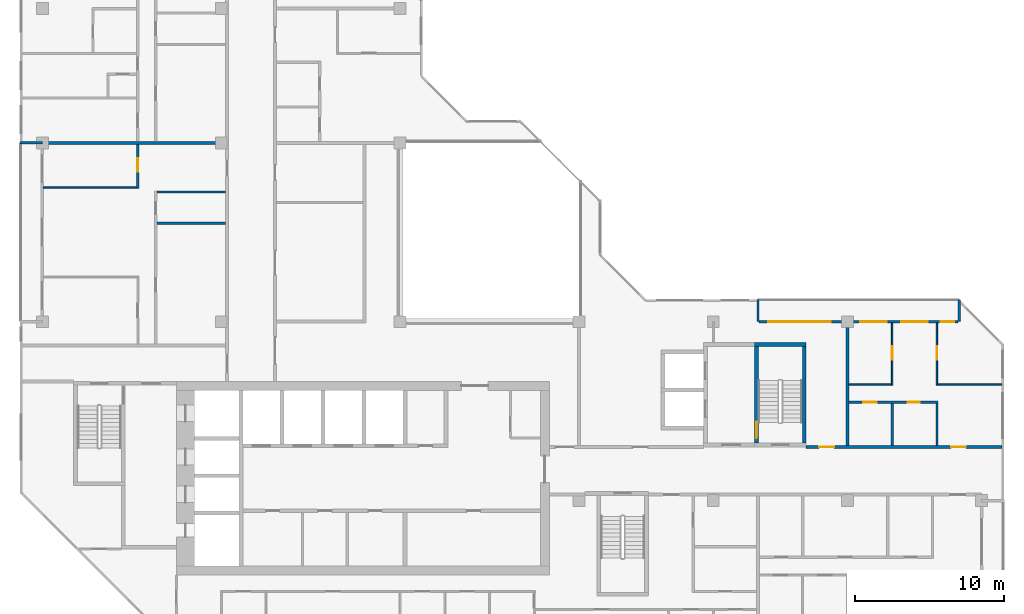
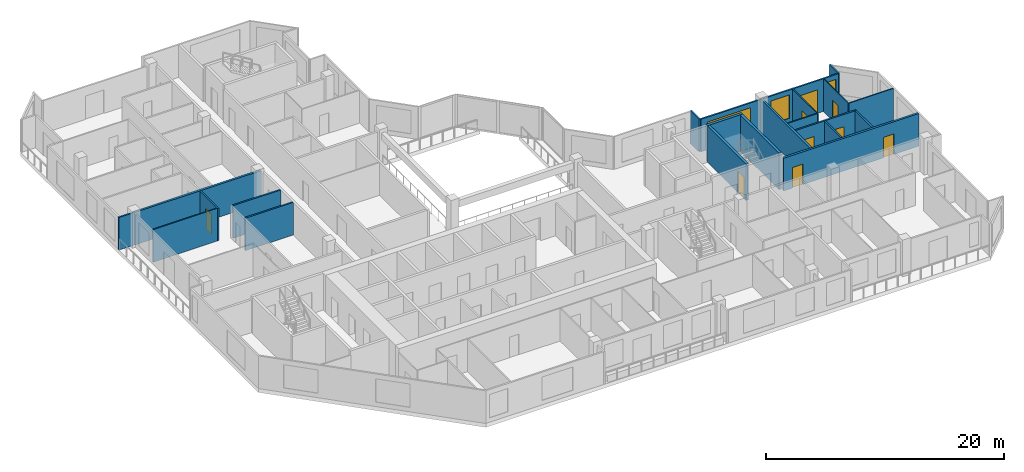
# One storey, part 8 of 13: 21 walls, 9 doors, 3 windows, 12 openings.
"""IFC4 building model written with IfcOpenShell, lengths in metres."""

from ifc_helpers import new_model, si_unit, direction, frame, frame_2d, origin, place, context, subcontext, project, spatial, rectangle, extrude, material, layer, layer_set, type_object, element, fill, save


model = new_model("IFC4")

# Units and contexts
model_context = context("Model", 3, precision=1e-05, world=origin(), true_north=direction((0.0, 1.0)))
body_context = subcontext(model_context, "Body", "Model", "MODEL_VIEW")
ifc_project = project(units=[si_unit("LENGTHUNIT", "METRE"), si_unit("AREAUNIT", "SQUARE_METRE"), si_unit("VOLUMEUNIT", "CUBIC_METRE"), si_unit("PLANEANGLEUNIT", "RADIAN"), si_unit("MASSUNIT", "GRAM", prefix="KILO")], contexts=[model_context])

# Site, building, storey
site_placement = place(None, origin())
site = spatial("IfcSite", under=ifc_project, at=site_placement, CompositionType="ELEMENT")
building_placement = place(site_placement, origin())
building = spatial("IfcBuilding", under=site, at=building_placement, Name="Chenar Terraces", CompositionType="ELEMENT")
storey_placement = place(building_placement, frame((0.0, 0.0, 292.14990234375)))
storey = spatial("IfcBuildingStorey", under=building, at=storey_placement, Name="L68", CompositionType="ELEMENT", Elevation=292.14990234375)

# Wall
ifc_material_1 = material(Name="Concrete C50/60", Category="concrete")
ifc_layer_1 = layer(ifc_material_1, 0.25)
ifc_layer_set_1 = layer_set([ifc_layer_1], Name="Concrete C50/60")
wall_type_1 = type_object("IfcWallType", Name="Core wall 250 Concrete C50/60", PredefinedType="SHEAR", material=ifc_layer_set_1)
wall_1_placement = place(storey_placement, frame((47.77490234375, 22.47509765625, 0.0), z_axis=(0.0, 0.0, 1.0), x_axis=(1.0, 0.0, 0.0)))
element("IfcWall", 1, at=wall_1_placement, inside=storey, type_object=wall_type_1, Name="Core wall ST3_N L68", PredefinedType="SHEAR", context=body_context, shape_type="SweptSolid", body=[
    extrude(rectangle(XDim=3.4501953125, YDim=0.25, at=frame_2d((1.72509765625, 0.0))), origin(), (0.0, 0.0, 1.0), 3.75),
])

# Wall, opening, door
wall_2_placement = place(storey_placement, frame((47.89990234375, 15.85009765625, 0.0), z_axis=(0.0, 0.0, 1.0), x_axis=(0.0, 1.0, 0.0)))
wall_2 = element("IfcWall", 2, at=wall_2_placement, inside=storey, type_object=wall_type_1, Name="Core wall ST3_W L68", PredefinedType="SHEAR", context=body_context, shape_type="SweptSolid", body=[
    extrude(rectangle(XDim=6.5, YDim=0.25, at=frame_2d((3.25, 0.0))), origin(), (0.0, 0.0, 1.0), 3.75),
])
opening_1_placement = place(wall_2_placement, frame((0.35009765625, 0.0, 0.0)))
opening_1 = element("IfcOpeningElement", 3, at=opening_1_placement, cuts=wall_2, Name="Opening DL68-C11", PredefinedType="OPENING", context=body_context, shape_type="SweptSolid", body=[
    extrude(rectangle(XDim=1.10009765625, YDim=2.199951171875, at=frame_2d((0.550048828125, 1.10009765625))), frame((0.0, 0.135009765625, 0.0), z_axis=(0.0, -1.0, 0.0), x_axis=(1.0, 0.0, 0.0)), (0.0, 0.0, 1.0), 0.27001953125),
])
ifc_material_2 = material(Name="Steel-framed fire-resisting door leaf", Category="steel")
door_type_1 = type_object("IfcDoorType", Name="Stair fire door FD60 1100 x 2200", OperationType="SINGLE_SWING_LEFT", PredefinedType="DOOR", material=ifc_material_2)
door_1_placement = place(opening_1_placement, frame((1.10009765625, 0.0, 0.0), z_axis=(0.0, 0.0, 1.0), x_axis=(-1.0, 0.0, 0.0)))
door_1 = element("IfcDoor", 4, at=door_1_placement, inside=storey, type_object=door_type_1, Name="Stair door DL68-C11", OperationType="SINGLE_SWING_RIGHT", OverallHeight=2.199951171875, OverallWidth=1.10009765625, PredefinedType="DOOR", context=body_context, shape_type="SweptSolid", body=[
    extrude(rectangle(XDim=1.10009765625, YDim=2.199951171875, at=frame_2d((0.550048828125, 1.10009765625))), frame((0.0, 0.02490234375, 0.0), z_axis=(0.0, -1.0, 0.0), x_axis=(1.0, 0.0, 0.0)), (0.0, 0.0, 1.0), 0.050048828125),
])
fill(opening_1, door_1)

# Wall
wall_3_placement = place(storey_placement, frame((51.10009765625, 15.85009765625, 0.0), z_axis=(0.0, 0.0, 1.0), x_axis=(0.0, 1.0, 0.0)))
element("IfcWall", 5, at=wall_3_placement, inside=storey, type_object=wall_type_1, Name="Core wall ST3_E L68", PredefinedType="SHEAR", context=body_context, shape_type="SweptSolid", body=[
    extrude(rectangle(XDim=6.5, YDim=0.25, at=frame_2d((3.25, 0.0))), origin(), (0.0, 0.0, 1.0), 3.75),
])

# Wall, openings, doors
ifc_material_3 = material(Name="Gypsum board on steel studs with fire boards", Category="steel")
ifc_layer_2 = layer(ifc_material_3, 0.199951171875)
ifc_layer_set_2 = layer_set([ifc_layer_2], Name="Gypsum board on steel studs with fire boards")
wall_type_2 = type_object("IfcWallType", Name="Corridor wall 200", PredefinedType="PARTITIONING", material=ifc_layer_set_2)
wall_4_placement = place(storey_placement, frame((51.22509765625, 15.60009765625, 0.0), z_axis=(0.0, 0.0, 1.0), x_axis=(1.0, 0.0, 0.0)))
wall_4 = element("IfcWall", 6, at=wall_4_placement, inside=storey, type_object=wall_type_2, Name="Partition L68-063", PredefinedType="PARTITIONING", context=body_context, shape_type="SweptSolid", body=[
    extrude(rectangle(XDim=13.125, YDim=0.199951171875, at=frame_2d((6.5625, 0.0))), origin(), (0.0, 0.0, 1.0), 3.35009765625),
])
opening_2_placement = place(wall_4_placement, frame((9.72509765625, 0.0, 0.0)))
opening_2 = element("IfcOpeningElement", 7, at=opening_2_placement, cuts=wall_4, Name="Opening DL68-8", PredefinedType="OPENING", context=body_context, shape_type="SweptSolid", body=[
    extrude(rectangle(XDim=1.0, YDim=2.10009765625, at=frame_2d((0.5, 1.050048828125))), frame((0.0, 0.10986328125, 0.0), z_axis=(0.0, -1.0, 0.0), x_axis=(1.0, 0.0, 0.0)), (0.0, 0.0, 1.0), 0.219970703125),
])
opening_3_placement = place(wall_4_placement, frame((0.875, 0.0, 0.0)))
opening_3 = element("IfcOpeningElement", 8, at=opening_3_placement, cuts=wall_4, Name="Opening DL68-33", PredefinedType="OPENING", context=body_context, shape_type="SweptSolid", body=[
    extrude(rectangle(XDim=1.0, YDim=2.10009765625, at=frame_2d((0.5, 1.050048828125))), frame((0.0, 0.10986328125, 0.0), z_axis=(0.0, -1.0, 0.0), x_axis=(1.0, 0.0, 0.0)), (0.0, 0.0, 1.0), 0.219970703125),
])
ifc_material_4 = material(Name="Steel-framed fire-resisting door leaf", Category="steel")
door_type_2 = type_object("IfcDoorType", Name="Fire door FD30S 1000 x 2100", OperationType="SINGLE_SWING_LEFT", PredefinedType="DOOR", material=ifc_material_4)
door_2_placement = place(opening_2_placement, origin())
door_2 = element("IfcDoor", 9, at=door_2_placement, inside=storey, type_object=door_type_2, Name="Door DL68-8", OperationType="SINGLE_SWING_LEFT", OverallHeight=2.10009765625, OverallWidth=1.0, PredefinedType="DOOR", context=body_context, shape_type="SweptSolid", body=[
    extrude(rectangle(XDim=1.0, YDim=2.10009765625, at=frame_2d((0.5, 1.050048828125))), frame((0.0, 0.02490234375, 0.0), z_axis=(0.0, -1.0, 0.0), x_axis=(1.0, 0.0, 0.0)), (0.0, 0.0, 1.0), 0.050048828125),
])
fill(opening_2, door_2)
door_3_placement = place(opening_3_placement, origin())
door_3 = element("IfcDoor", 10, at=door_3_placement, inside=storey, type_object=door_type_2, Name="Door DL68-33", OperationType="SINGLE_SWING_RIGHT", OverallHeight=2.10009765625, OverallWidth=1.0, PredefinedType="DOOR", context=body_context, shape_type="SweptSolid", body=[
    extrude(rectangle(XDim=1.0, YDim=2.10009765625, at=frame_2d((0.5, 1.050048828125))), frame((0.0, 0.02490234375, 0.0), z_axis=(0.0, -1.0, 0.0), x_axis=(1.0, 0.0, 0.0)), (0.0, 0.0, 1.0), 0.050048828125),
])
fill(opening_3, door_3)

# Wall, openings, windows, door
ifc_material_5 = material(Name="Aluminium framed glazing", Category="aluminium")
ifc_layer_3 = layer(ifc_material_5, 0.14990234375)
ifc_layer_set_3 = layer_set([ifc_layer_3], Name="Aluminium framed glazing")
wall_type_3 = type_object("IfcWallType", Name="Glazed loggia back wall 150", PredefinedType="SOLIDWALL", material=ifc_layer_set_3)
wall_5_placement = place(storey_placement, frame((61.425048828125, 24.0, 0.0), z_axis=(0.0, 0.0, 1.0), x_axis=(-1.0, 0.0, 0.0)))
wall_5 = element("IfcWall", 11, at=wall_5_placement, inside=storey, type_object=wall_type_3, Name="Glazed loggia back wall", PredefinedType="SOLIDWALL", context=body_context, shape_type="SweptSolid", body=[
    extrude(rectangle(XDim=13.35009765625, YDim=0.14990234375, at=frame_2d((6.675048828125, 0.0))), origin(), (0.0, 0.0, 1.0), 3.35009765625),
])
opening_4_placement = place(wall_5_placement, frame((0.262451171875, 0.0, 0.449951171875)))
opening_4 = element("IfcOpeningElement", 12, at=opening_4_placement, cuts=wall_5, Name="Opening W90x240", PredefinedType="OPENING", context=body_context, shape_type="SweptSolid", body=[
    extrude(rectangle(XDim=0.89990234375, YDim=2.39990234375, at=frame_2d((0.449951171875, 1.199951171875))), frame((0.0, 0.0849609375, 0.0), z_axis=(0.0, -1.0, 0.0), x_axis=(1.0, 0.0, 0.0)), (0.0, 0.0, 1.0), 0.169921875),
])
opening_5_placement = place(wall_5_placement, frame((2.02490234375, 0.0, 0.0)))
opening_5 = element("IfcOpeningElement", 13, at=opening_5_placement, cuts=wall_5, Name="Opening DL68-G1", PredefinedType="OPENING", context=body_context, shape_type="SweptSolid", body=[
    extrude(rectangle(XDim=1.800048828125, YDim=2.39990234375, at=frame_2d((0.89990234375, 1.199951171875))), frame((0.0, 0.0849609375, 0.0), z_axis=(0.0, -1.0, 0.0), x_axis=(1.0, 0.0, 0.0)), (0.0, 0.0, 1.0), 0.169921875),
])
opening_6_placement = place(wall_5_placement, frame((4.77490234375, 0.0, 0.449951171875)))
opening_6 = element("IfcOpeningElement", 14, at=opening_6_placement, cuts=wall_5, Name="Opening W180x240", PredefinedType="OPENING", context=body_context, shape_type="SweptSolid", body=[
    extrude(rectangle(XDim=1.800048828125, YDim=2.39990234375, at=frame_2d((0.89990234375, 1.199951171875))), frame((0.0, 0.0849609375, 0.0), z_axis=(0.0, -1.0, 0.0), x_axis=(1.0, 0.0, 0.0)), (0.0, 0.0, 1.0), 0.169921875),
])
opening_7_placement = place(wall_5_placement, frame((8.53759765625, 0.0, 0.449951171875)))
opening_7 = element("IfcOpeningElement", 15, at=opening_7_placement, cuts=wall_5, Name="Opening W420x240", PredefinedType="OPENING", context=body_context, shape_type="SweptSolid", body=[
    extrude(rectangle(XDim=4.199951171875, YDim=2.39990234375, at=frame_2d((2.10009765625, 1.199951171875))), frame((0.0, 0.0849609375, 0.0), z_axis=(0.0, -1.0, 0.0), x_axis=(1.0, 0.0, 0.0)), (0.0, 0.0, 1.0), 0.169921875),
])
ifc_material_6 = material(Name="Low emissivity double glazing, aluminium frame", Category="aluminium")
window_type_1 = type_object("IfcWindowType", Name="Fixed light 1800 x 2400", PartitioningType="SINGLE_PANEL", PredefinedType="WINDOW", material=ifc_material_6)
window_1_placement = place(opening_6_placement, origin())
window_1 = element("IfcWindow", 16, at=window_1_placement, inside=storey, type_object=window_type_1, Name="Window", OverallHeight=2.39990234375, OverallWidth=1.800048828125, PartitioningType="SINGLE_PANEL", PredefinedType="WINDOW", context=body_context, shape_type="SweptSolid", body=[
    extrude(rectangle(XDim=1.800048828125, YDim=2.39990234375, at=frame_2d((0.89990234375, 1.199951171875))), frame((0.0, 0.030029296875, 0.0), z_axis=(0.0, -1.0, 0.0), x_axis=(1.0, 0.0, 0.0)), (0.0, 0.0, 1.0), 0.06005859375),
])
fill(opening_6, window_1)
ifc_material_7 = material(Name="Low emissivity double glazing, aluminium frame", Category="aluminium")
window_type_2 = type_object("IfcWindowType", Name="Fixed light 4200 x 2400", PartitioningType="SINGLE_PANEL", PredefinedType="WINDOW", material=ifc_material_7)
window_2_placement = place(opening_7_placement, origin())
window_2 = element("IfcWindow", 17, at=window_2_placement, inside=storey, type_object=window_type_2, Name="Window", OverallHeight=2.39990234375, OverallWidth=4.199951171875, PartitioningType="SINGLE_PANEL", PredefinedType="WINDOW", context=body_context, shape_type="SweptSolid", body=[
    extrude(rectangle(XDim=4.199951171875, YDim=2.39990234375, at=frame_2d((2.10009765625, 1.199951171875))), frame((0.0, 0.030029296875, 0.0), z_axis=(0.0, -1.0, 0.0), x_axis=(1.0, 0.0, 0.0)), (0.0, 0.0, 1.0), 0.06005859375),
])
fill(opening_7, window_2)
ifc_material_8 = material(Name="Low emissivity double glazing, aluminium frame", Category="aluminium")
window_type_3 = type_object("IfcWindowType", Name="Fixed light 900 x 2400", PartitioningType="SINGLE_PANEL", PredefinedType="WINDOW", material=ifc_material_8)
window_3_placement = place(opening_4_placement, origin())
window_3 = element("IfcWindow", 18, at=window_3_placement, inside=storey, type_object=window_type_3, Name="Window", OverallHeight=2.39990234375, OverallWidth=0.89990234375, PartitioningType="SINGLE_PANEL", PredefinedType="WINDOW", context=body_context, shape_type="SweptSolid", body=[
    extrude(rectangle(XDim=0.89990234375, YDim=2.39990234375, at=frame_2d((0.449951171875, 1.199951171875))), frame((0.0, 0.030029296875, 0.0), z_axis=(0.0, -1.0, 0.0), x_axis=(1.0, 0.0, 0.0)), (0.0, 0.0, 1.0), 0.06005859375),
])
fill(opening_4, window_3)
ifc_material_9 = material(Name="Low emissivity double glazing, aluminium frame", Category="aluminium")
door_type_3 = type_object("IfcDoorType", Name="Loggia glazed double door 1800 x 2400", OperationType="DOUBLE_DOOR_SINGLE_SWING", PredefinedType="DOOR", material=ifc_material_9)
door_4_placement = place(opening_5_placement, frame((1.800048828125, 0.0, 0.0), z_axis=(0.0, 0.0, 1.0), x_axis=(-1.0, 0.0, 0.0)))
door_4 = element("IfcDoor", 19, at=door_4_placement, inside=storey, type_object=door_type_3, Name="Loggia glazed door", OperationType="DOUBLE_DOOR_SINGLE_SWING", OverallHeight=2.39990234375, OverallWidth=1.800048828125, PredefinedType="DOOR", context=body_context, shape_type="SweptSolid", body=[
    extrude(rectangle(XDim=1.800048828125, YDim=2.39990234375, at=frame_2d((0.89990234375, 1.199951171875))), frame((0.0, 0.02490234375, 0.0), z_axis=(0.0, -1.0, 0.0), x_axis=(1.0, 0.0, 0.0)), (0.0, 0.0, 1.0), 0.050048828125),
])
fill(opening_5, door_4)

# Walls
ifc_material_10 = material(Name="Gypsum board on steel studs", Category="steel")
ifc_layer_4 = layer(ifc_material_10, 0.10009765625)
ifc_layer_set_4 = layer_set([ifc_layer_4], Name="Gypsum board on steel studs")
wall_type_4 = type_object("IfcWallType", Name="Gypsum partition 100", PredefinedType="PARTITIONING", material=ifc_layer_set_4)
wall_6_placement = place(storey_placement, frame((0.073974609375, 33.0, 0.0), z_axis=(0.0, 0.0, 1.0), x_axis=(1.0, 0.0, 0.0)))
element("IfcWall", 20, at=wall_6_placement, inside=storey, type_object=wall_type_4, Name="Partition L68-008", PredefinedType="PARTITIONING", context=body_context, shape_type="SweptSolid", body=[
    extrude(rectangle(XDim=6.2509765625, YDim=0.10009765625, at=frame_2d((3.12548828125, 0.0))), origin(), (0.0, 0.0, 1.0), 3.35009765625),
])
wall_7_placement = place(storey_placement, frame((54.10009765625, 19.800048828125, 0.0), z_axis=(0.0, 0.0, 1.0), x_axis=(1.0, 0.0, 0.0)))
element("IfcWall", 21, at=wall_7_placement, inside=storey, type_object=wall_type_4, Name="Partition L68-067", PredefinedType="PARTITIONING", context=body_context, shape_type="SweptSolid", body=[
    extrude(rectangle(XDim=2.849853515625, YDim=0.10009765625, at=frame_2d((1.4248046875, 0.0))), origin(), (0.0, 0.0, 1.0), 3.35009765625),
])

# Wall, opening, door
wall_8_placement = place(storey_placement, frame((57.0, 19.75, 0.0), z_axis=(0.0, 0.0, 1.0), x_axis=(0.0, 1.0, 0.0)))
wall_8 = element("IfcWall", 22, at=wall_8_placement, inside=storey, type_object=wall_type_4, Name="Partition L68-070", PredefinedType="PARTITIONING", context=body_context, shape_type="SweptSolid", body=[
    extrude(rectangle(XDim=4.176025390625, YDim=0.10009765625, at=frame_2d((2.087890625, 0.0))), origin(), (0.0, 0.0, 1.0), 3.35009765625),
])
opening_8_placement = place(wall_8_placement, frame((1.699951171875, 0.0, 0.0)))
opening_8 = element("IfcOpeningElement", 23, at=opening_8_placement, cuts=wall_8, Name="Opening DL68-5", PredefinedType="OPENING", context=body_context, shape_type="SweptSolid", body=[
    extrude(rectangle(XDim=0.89990234375, YDim=2.10009765625, at=frame_2d((0.449951171875, 1.050048828125))), frame((0.0, 0.06005859375, 0.0), z_axis=(0.0, -1.0, 0.0), x_axis=(1.0, 0.0, 0.0)), (0.0, 0.0, 1.0), 0.1201171875),
])
ifc_material_11 = material(Name="Veneered timber door leaf", Category="wood")
door_type_4 = type_object("IfcDoorType", Name="Door 900 x 2100", OperationType="SINGLE_SWING_LEFT", PredefinedType="DOOR", material=ifc_material_11)
door_5_placement = place(opening_8_placement, origin())
door_5 = element("IfcDoor", 24, at=door_5_placement, inside=storey, type_object=door_type_4, Name="Door DL68-5", OperationType="SINGLE_SWING_LEFT", OverallHeight=2.10009765625, OverallWidth=0.89990234375, PredefinedType="DOOR", context=body_context, shape_type="SweptSolid", body=[
    extrude(rectangle(XDim=0.89990234375, YDim=2.10009765625, at=frame_2d((0.449951171875, 1.050048828125))), frame((0.0, 0.02490234375, 0.0), z_axis=(0.0, -1.0, 0.0), x_axis=(1.0, 0.0, 0.0)), (0.0, 0.0, 1.0), 0.050048828125),
])
fill(opening_8, door_5)

wall_9_placement = place(storey_placement, frame((60.0, 19.75, 0.0), z_axis=(0.0, 0.0, 1.0), x_axis=(0.0, 1.0, 0.0)))
wall_9 = element("IfcWall", 25, at=wall_9_placement, inside=storey, type_object=wall_type_4, Name="Partition L68-074", PredefinedType="PARTITIONING", context=body_context, shape_type="SweptSolid", body=[
    extrude(rectangle(XDim=4.176025390625, YDim=0.10009765625, at=frame_2d((2.087890625, 0.0))), origin(), (0.0, 0.0, 1.0), 3.35009765625),
])
opening_9_placement = place(wall_9_placement, frame((1.699951171875, 0.0, 0.0)))
opening_9 = element("IfcOpeningElement", 26, at=opening_9_placement, cuts=wall_9, Name="Opening DL68-6", PredefinedType="OPENING", context=body_context, shape_type="SweptSolid", body=[
    extrude(rectangle(XDim=0.89990234375, YDim=2.10009765625, at=frame_2d((0.449951171875, 1.050048828125))), frame((0.0, 0.06005859375, 0.0), z_axis=(0.0, -1.0, 0.0), x_axis=(1.0, 0.0, 0.0)), (0.0, 0.0, 1.0), 0.1201171875),
])
door_6_placement = place(opening_9_placement, frame((0.89990234375, 0.0, 0.0), z_axis=(0.0, 0.0, 1.0), x_axis=(-1.0, 0.0, 0.0)))
door_6 = element("IfcDoor", 27, at=door_6_placement, inside=storey, type_object=door_type_4, Name="Door DL68-6", OperationType="SINGLE_SWING_RIGHT", OverallHeight=2.10009765625, OverallWidth=0.89990234375, PredefinedType="DOOR", context=body_context, shape_type="SweptSolid", body=[
    extrude(rectangle(XDim=0.89990234375, YDim=2.10009765625, at=frame_2d((0.449951171875, 1.050048828125))), frame((0.0, 0.02490234375, 0.0), z_axis=(0.0, -1.0, 0.0), x_axis=(1.0, 0.0, 0.0)), (0.0, 0.0, 1.0), 0.050048828125),
])
fill(opening_9, door_6)

# Walls
wall_10_placement = place(storey_placement, frame((60.050048828125, 19.800048828125, 0.0), z_axis=(0.0, 0.0, 1.0), x_axis=(1.0, 0.0, 0.0)))
element("IfcWall", 28, at=wall_10_placement, inside=storey, type_object=wall_type_4, Name="Partition L68-076", PredefinedType="PARTITIONING", context=body_context, shape_type="SweptSolid", body=[
    extrude(rectangle(XDim=4.300048828125, YDim=0.10009765625, at=frame_2d((2.14990234375, 0.0))), origin(), (0.0, 0.0, 1.0), 3.35009765625),
])
ifc_material_12 = material(Name="Terracotta cladding on insulated backing", Category="masonry")
ifc_layer_5 = layer(ifc_material_12, 0.14990234375)
ifc_layer_set_5 = layer_set([ifc_layer_5], Name="Terracotta cladding on insulated backing")
wall_type_5 = type_object("IfcWallType", Name="Loggia return wall 150", PredefinedType="SOLIDWALL", material=ifc_layer_set_5)
for number, where, z_axis, x_axis, name in (
    (29, (61.5, 25.5, 0.0), (0.0, 0.0, 1.0), (0.0, -1.0, 0.0), "Loggia return wall"),
    (30, (48.0, 25.5, 0.0), (0.0, 0.0, 1.0), (0.0, -1.0, 0.0), "Loggia return wall"),
    (31, (-1.5, 36.0, 0.0), (0.0, 0.0, 1.0), (1.0, 0.0, 0.0), "Loggia return wall"),
):
    element("IfcWall", number, at=place(storey_placement, frame(where, z_axis=z_axis, x_axis=x_axis)), inside=storey, type_object=wall_type_5, Name=name, PredefinedType="SOLIDWALL", context=body_context, shape_type="SweptSolid", body=[
        extrude(rectangle(XDim=1.5, YDim=0.14990234375, at=frame_2d((0.75, 0.0))), origin(), (0.0, 0.0, 1.0), 3.35009765625),
    ])
ifc_material_13 = material(Name="Twin gypsum board on steel studs with mineral wool", Category="steel")
ifc_layer_6 = layer(ifc_material_13, 0.199951171875)
ifc_layer_set_6 = layer_set([ifc_layer_6], Name="Twin gypsum board on steel studs with mineral wool")
wall_type_6 = type_object("IfcWallType", Name="Unit demising wall 200", PredefinedType="PARTITIONING", material=ifc_layer_set_6)
wall_11_placement = place(storey_placement, frame((0.0, 36.0, 0.0), z_axis=(0.0, 0.0, 1.0), x_axis=(1.0, 0.0, 0.0)))
element("IfcWall", 32, at=wall_11_placement, inside=storey, type_object=wall_type_6, Name="Partition L68-005", PredefinedType="PARTITIONING", context=body_context, shape_type="SweptSolid", body=[
    extrude(rectangle(XDim=12.300048828125, YDim=0.199951171875, at=frame_2d((6.14990234375, 0.0))), origin(), (0.0, 0.0, 1.0), 3.35009765625),
])
wall_12_placement = place(storey_placement, frame((54.0, 15.699951171875, 0.0), z_axis=(0.0, 0.0, 1.0), x_axis=(0.0, 1.0, 0.0)))
element("IfcWall", 33, at=wall_12_placement, inside=storey, type_object=wall_type_6, Name="Partition L68-065", PredefinedType="PARTITIONING", context=body_context, shape_type="SweptSolid", body=[
    extrude(rectangle(XDim=8.22607421875, YDim=0.199951171875, at=frame_2d((4.113037109375, 0.0))), origin(), (0.0, 0.0, 1.0), 3.35009765625),
])

# Wall, opening, door
ifc_material_14 = material(Name="Moisture-resistant gypsum board on steel studs", Category="steel")
ifc_layer_7 = layer(ifc_material_14, 0.14990234375)
ifc_layer_set_7 = layer_set([ifc_layer_7], Name="Moisture-resistant gypsum board on steel studs")
wall_type_7 = type_object("IfcWallType", Name="Wet-room partition 150", PredefinedType="PARTITIONING", material=ifc_layer_set_7)
wall_13_placement = place(storey_placement, frame((6.39990234375, 32.949951171875, 0.0), z_axis=(0.0, 0.0, 1.0), x_axis=(0.0, 1.0, 0.0)))
wall_13 = element("IfcWall", 34, at=wall_13_placement, inside=storey, type_object=wall_type_7, Name="Partition L68-015", PredefinedType="PARTITIONING", context=body_context, shape_type="SweptSolid", body=[
    extrude(rectangle(XDim=2.949951171875, YDim=0.14990234375, at=frame_2d((1.47509765625, 0.0))), origin(), (0.0, 0.0, 1.0), 3.35009765625),
])
opening_10_placement = place(wall_13_placement, frame((1.10009765625, 0.0, 0.0)))
opening_10 = element("IfcOpeningElement", 35, at=opening_10_placement, cuts=wall_13, Name="Opening DL68-50", PredefinedType="OPENING", context=body_context, shape_type="SweptSolid", body=[
    extrude(rectangle(XDim=0.89990234375, YDim=2.10009765625, at=frame_2d((0.449951171875, 1.050048828125))), frame((0.0, 0.0849609375, 0.0), z_axis=(0.0, -1.0, 0.0), x_axis=(1.0, 0.0, 0.0)), (0.0, 0.0, 1.0), 0.169921875),
])
door_7_placement = place(opening_10_placement, origin())
door_7 = element("IfcDoor", 36, at=door_7_placement, inside=storey, type_object=door_type_4, Name="Door DL68-50", OperationType="SINGLE_SWING_RIGHT", OverallHeight=2.10009765625, OverallWidth=0.89990234375, PredefinedType="DOOR", context=body_context, shape_type="SweptSolid", body=[
    extrude(rectangle(XDim=0.89990234375, YDim=2.10009765625, at=frame_2d((0.449951171875, 1.050048828125))), frame((0.0, 0.02490234375, 0.0), z_axis=(0.0, -1.0, 0.0), x_axis=(1.0, 0.0, 0.0)), (0.0, 0.0, 1.0), 0.050048828125),
])
fill(opening_10, door_7)

# Walls
for number, where, z_axis, x_axis, name in (
    (37, (7.675048828125, 30.60009765625, 0.0), (0.0, 0.0, 1.0), (1.0, 0.0, 0.0), "Partition L68-019"),
    (38, (7.675048828125, 32.699951171875, 0.0), (0.0, 0.0, 1.0), (1.0, 0.0, 0.0), "Partition L68-020"),
):
    element("IfcWall", number, at=place(storey_placement, frame(where, z_axis=z_axis, x_axis=x_axis)), inside=storey, type_object=wall_type_7, Name=name, PredefinedType="PARTITIONING", context=body_context, shape_type="SweptSolid", body=[
        extrude(rectangle(XDim=4.625, YDim=0.14990234375, at=frame_2d((2.3125, 0.0))), origin(), (0.0, 0.0, 1.0), 3.35009765625),
    ])

# Wall, openings, doors
wall_14_placement = place(storey_placement, frame((54.10009765625, 18.60009765625, 0.0), z_axis=(0.0, 0.0, 1.0), x_axis=(1.0, 0.0, 0.0)))
wall_14 = element("IfcWall", 39, at=wall_14_placement, inside=storey, type_object=wall_type_7, Name="Partition L68-066", PredefinedType="PARTITIONING", context=body_context, shape_type="SweptSolid", body=[
    extrude(rectangle(XDim=5.974853515625, YDim=0.14990234375, at=frame_2d((2.9873046875, 0.0))), origin(), (0.0, 0.0, 1.0), 3.35009765625),
])
opening_11_placement = place(wall_14_placement, frame((3.949951171875, 0.0, 0.0)))
opening_11 = element("IfcOpeningElement", 40, at=opening_11_placement, cuts=wall_14, Name="Opening DL68-4", PredefinedType="OPENING", context=body_context, shape_type="SweptSolid", body=[
    extrude(rectangle(XDim=0.800048828125, YDim=2.10009765625, at=frame_2d((0.39990234375, 1.050048828125))), frame((0.0, 0.0849609375, 0.0), z_axis=(0.0, -1.0, 0.0), x_axis=(1.0, 0.0, 0.0)), (0.0, 0.0, 1.0), 0.169921875),
])
opening_12_placement = place(wall_14_placement, frame((0.949951171875, 0.0, 0.0)))
opening_12 = element("IfcOpeningElement", 41, at=opening_12_placement, cuts=wall_14, Name="Opening DL68-7", PredefinedType="OPENING", context=body_context, shape_type="SweptSolid", body=[
    extrude(rectangle(XDim=0.89990234375, YDim=2.10009765625, at=frame_2d((0.449951171875, 1.050048828125))), frame((0.0, 0.0849609375, 0.0), z_axis=(0.0, -1.0, 0.0), x_axis=(1.0, 0.0, 0.0)), (0.0, 0.0, 1.0), 0.169921875),
])
ifc_material_15 = material(Name="Veneered timber door leaf", Category="wood")
door_type_5 = type_object("IfcDoorType", Name="Door 800 x 2100", OperationType="SINGLE_SWING_LEFT", PredefinedType="DOOR", material=ifc_material_15)
door_8_placement = place(opening_11_placement, frame((0.800048828125, 0.0, 0.0), z_axis=(0.0, 0.0, 1.0), x_axis=(-1.0, 0.0, 0.0)))
door_8 = element("IfcDoor", 42, at=door_8_placement, inside=storey, type_object=door_type_5, Name="Door DL68-4", OperationType="SINGLE_SWING_RIGHT", OverallHeight=2.10009765625, OverallWidth=0.800048828125, PredefinedType="DOOR", context=body_context, shape_type="SweptSolid", body=[
    extrude(rectangle(XDim=0.800048828125, YDim=2.10009765625, at=frame_2d((0.39990234375, 1.050048828125))), frame((0.0, 0.02490234375, 0.0), z_axis=(0.0, -1.0, 0.0), x_axis=(1.0, 0.0, 0.0)), (0.0, 0.0, 1.0), 0.050048828125),
])
fill(opening_11, door_8)
door_9_placement = place(opening_12_placement, frame((0.89990234375, 0.0, 0.0), z_axis=(0.0, 0.0, 1.0), x_axis=(-1.0, 0.0, 0.0)))
door_9 = element("IfcDoor", 43, at=door_9_placement, inside=storey, type_object=door_type_4, Name="Door DL68-7", OperationType="SINGLE_SWING_LEFT", OverallHeight=2.10009765625, OverallWidth=0.89990234375, PredefinedType="DOOR", context=body_context, shape_type="SweptSolid", body=[
    extrude(rectangle(XDim=0.89990234375, YDim=2.10009765625, at=frame_2d((0.449951171875, 1.050048828125))), frame((0.0, 0.02490234375, 0.0), z_axis=(0.0, -1.0, 0.0), x_axis=(1.0, 0.0, 0.0)), (0.0, 0.0, 1.0), 0.050048828125),
])
fill(opening_12, door_9)

# Walls
for number, where, z_axis, x_axis, name in (
    (44, (57.0, 15.699951171875, 0.0), (0.0, 0.0, 1.0), (0.0, 1.0, 0.0), "Partition L68-069"),
    (45, (60.0, 15.699951171875, 0.0), (0.0, 0.0, 1.0), (0.0, 1.0, 0.0), "Partition L68-073"),
):
    element("IfcWall", number, at=place(storey_placement, frame(where, z_axis=z_axis, x_axis=x_axis)), inside=storey, type_object=wall_type_7, Name=name, PredefinedType="PARTITIONING", context=body_context, shape_type="SweptSolid", body=[
        extrude(rectangle(XDim=2.824951171875, YDim=0.14990234375, at=frame_2d((1.41259765625, 0.0))), origin(), (0.0, 0.0, 1.0), 3.35009765625),
    ])

save(model, "model.ifc")
